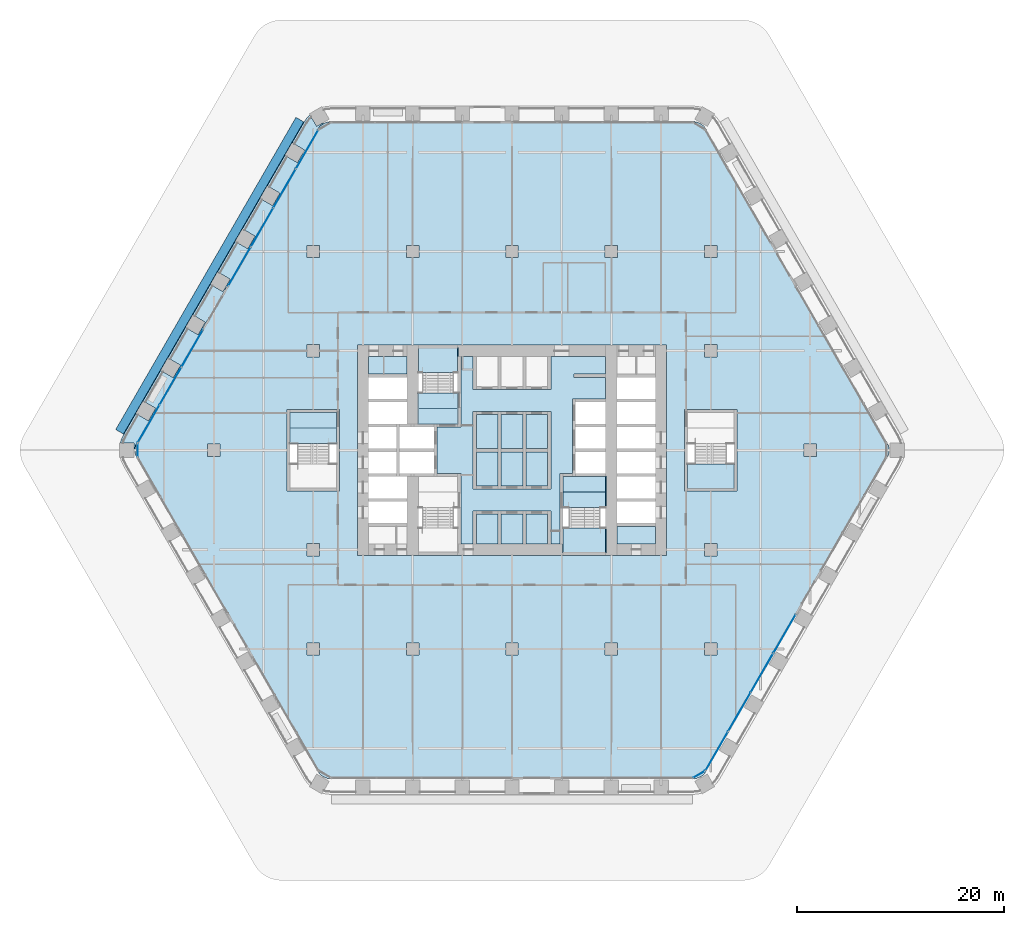
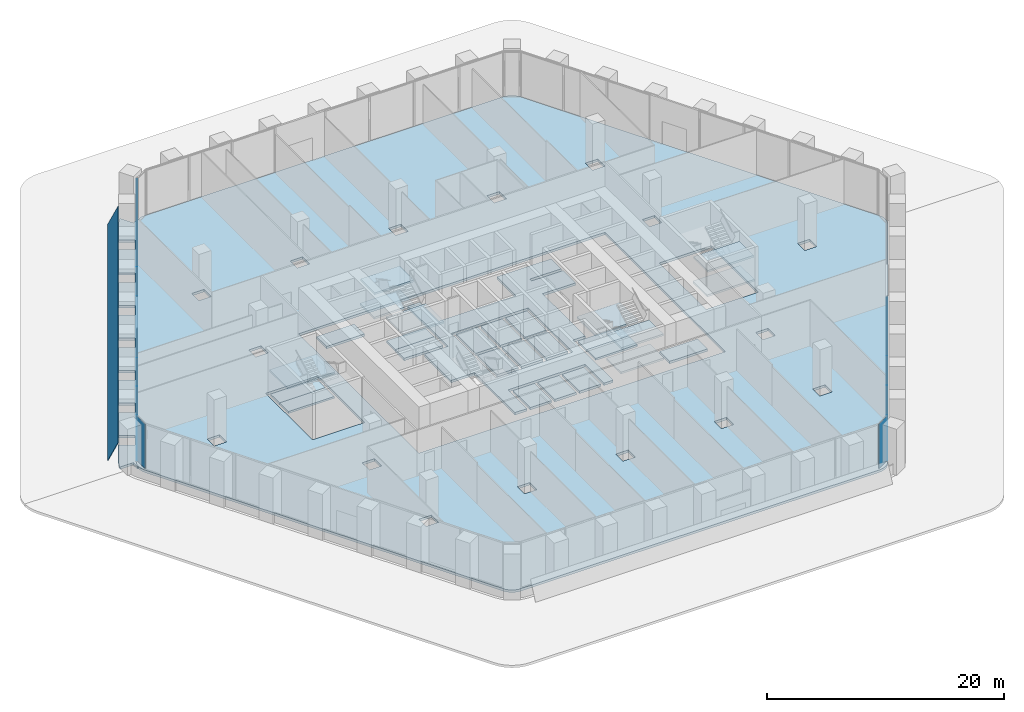
# One storey, part 16 of 29: 29 slabs, 14 plates, 9 elements without a shape of their own.
"""IFC4 building model written with IfcOpenShell, lengths in metres."""

from ifc_helpers import new_model, si_unit, direction, frame, origin, origin_2d, place, context, subcontext, project, spatial, polyline, rectangle, outline, extrude, material, layer, layer_set, type_object, element, aggregate, save


model = new_model("IFC4")

# Units and contexts
model_context = context("Model", 3, precision=1e-05, world=origin(), true_north=direction((0.0, 1.0)))
body_context = subcontext(model_context, "Body", "Model", "MODEL_VIEW")
ifc_project = project(units=[si_unit("LENGTHUNIT", "METRE"), si_unit("AREAUNIT", "SQUARE_METRE"), si_unit("VOLUMEUNIT", "CUBIC_METRE"), si_unit("PLANEANGLEUNIT", "RADIAN"), si_unit("MASSUNIT", "GRAM", prefix="KILO")], contexts=[model_context])

# Site, building, storey
site_placement = place(None, origin())
site = spatial("IfcSite", under=ifc_project, at=site_placement, CompositionType="ELEMENT")
building_placement = place(site_placement, origin())
building = spatial("IfcBuilding", under=site, at=building_placement, Name="Kolab Exchange Tower", CompositionType="ELEMENT")
storey_placement = place(building_placement, frame((0.0, 0.0, 17.39990234375)))
storey = spatial("IfcBuildingStorey", under=building, at=storey_placement, Name="L03", CompositionType="ELEMENT", Elevation=17.39990234375)

# Slabs
ifc_material_1 = material(Name="Concrete C35/45", Category="concrete")
ifc_layer_1 = layer(ifc_material_1, 0.25)
ifc_layer_set_1 = layer_set([ifc_layer_1], Name="Concrete C35/45")
slab_type_1 = type_object("IfcSlabType", Name="FLOOR SLAB 250", PredefinedType="FLOOR", material=ifc_layer_set_1)
slab_1_placement = place(storey_placement, frame((0.0, 0.0, -0.25)))
element("IfcSlab", 1, at=slab_1_placement, inside=storey, type_object=slab_type_1, Name="slab/L03/floor/0", PredefinedType="FLOOR", context=body_context, shape_type="SweptSolid", body=[
    extrude(outline(polyline([(18.76708984375, -31.00537109375), (36.23486328125, -0.75), (36.345458984375, -0.512939453125), (36.4130859375, -0.260498046875), (36.435791015625, 0.0), (36.4130859375, 0.260498046875), (36.345458984375, 0.512939453125), (36.23486328125, 0.75), (18.76708984375, 31.00537109375), (18.616943359375, 31.219482421875), (18.43212890625, 31.404541015625), (18.218017578125, 31.554443359375), (17.98095703125, 31.664794921875), (17.728515625, 31.732666015625), (17.468017578125, 31.75537109375), (-17.468017578125, 31.75537109375), (-17.728515625, 31.732666015625), (-17.98095703125, 31.664794921875), (-18.218017578125, 31.554443359375), (-18.43212890625, 31.404541015625), (-18.616943359375, 31.219482421875), (-18.76708984375, 31.00537109375), (-36.23486328125, 0.75), (-36.345458984375, 0.512939453125), (-36.4130859375, 0.260498046875), (-36.435791015625, 0.0), (-36.4130859375, -0.260498046875), (-36.345458984375, -0.512939453125), (-36.23486328125, -0.75), (-18.76708984375, -31.00537109375), (-18.616943359375, -31.219482421875), (-18.43212890625, -31.404541015625), (-18.218017578125, -31.554443359375), (-17.98095703125, -31.664794921875), (-17.728515625, -31.732666015625), (-17.468017578125, -31.75537109375), (17.468017578125, -31.75537109375), (17.728515625, -31.732666015625), (17.98095703125, -31.664794921875), (18.218017578125, -31.554443359375), (18.43212890625, -31.404541015625), (18.616943359375, -31.219482421875), (18.76708984375, -31.00537109375)]), holes=[polyline([(-19.800048828125, -18.60009765625), (-18.60009765625, -18.60009765625), (-18.60009765625, -19.800048828125), (-19.800048828125, -19.800048828125), (-19.800048828125, -18.60009765625)]), polyline([(-18.60009765625, -9.0), (-18.60009765625, -10.199951171875), (-19.800048828125, -10.199951171875), (-19.800048828125, -9.0), (-18.60009765625, -9.0)]), polyline([(-21.75, -3.949951171875), (-21.75, 3.949951171875), (-21.449951171875, 3.949951171875), (-16.949951171875, 3.949951171875), (-16.64990234375, 3.949951171875), (-16.64990234375, -3.949951171875), (-16.949951171875, -3.949951171875), (-21.449951171875, -3.949951171875), (-21.75, -3.949951171875)]), polyline([(-14.949951171875, 10.14990234375), (-13.85009765625, 10.14990234375), (-10.14990234375, 10.14990234375), (-9.050048828125, 10.14990234375), (-5.25, 10.14990234375), (9.050048828125, 10.14990234375), (10.14990234375, 10.14990234375), (13.85009765625, 10.14990234375), (14.949951171875, 10.14990234375), (14.949951171875, -10.14990234375), (13.85009765625, -10.14990234375), (10.14990234375, -10.14990234375), (9.050048828125, -10.14990234375), (4.949951171875, -10.14990234375), (-5.25, -10.14990234375), (-9.050048828125, -10.14990234375), (-10.14990234375, -10.14990234375), (-13.85009765625, -10.14990234375), (-14.949951171875, -10.14990234375), (-14.949951171875, 10.14990234375)]), polyline([(-28.199951171875, 0.60009765625), (-28.199951171875, -0.60009765625), (-29.39990234375, -0.60009765625), (-29.39990234375, 0.60009765625), (-28.199951171875, 0.60009765625)]), polyline([(-18.60009765625, 10.199951171875), (-18.60009765625, 9.0), (-19.800048828125, 9.0), (-19.800048828125, 10.199951171875), (-18.60009765625, 10.199951171875)]), polyline([(-19.800048828125, 19.800048828125), (-18.60009765625, 19.800048828125), (-18.60009765625, 18.60009765625), (-19.800048828125, 18.60009765625), (-19.800048828125, 19.800048828125)]), polyline([(-9.0, -18.60009765625), (-9.0, -19.800048828125), (-10.199951171875, -19.800048828125), (-10.199951171875, -18.60009765625), (-9.0, -18.60009765625)]), polyline([(-9.0, 19.800048828125), (-9.0, 18.60009765625), (-10.199951171875, 18.60009765625), (-10.199951171875, 19.800048828125), (-9.0, 19.800048828125)]), polyline([(0.60009765625, -18.60009765625), (0.60009765625, -19.800048828125), (-0.60009765625, -19.800048828125), (-0.60009765625, -18.60009765625), (0.60009765625, -18.60009765625)]), polyline([(0.60009765625, 19.800048828125), (0.60009765625, 18.60009765625), (-0.60009765625, 18.60009765625), (-0.60009765625, 19.800048828125), (0.60009765625, 19.800048828125)]), polyline([(10.199951171875, -18.60009765625), (10.199951171875, -19.800048828125), (9.0, -19.800048828125), (9.0, -18.60009765625), (10.199951171875, -18.60009765625)]), polyline([(9.0, 19.800048828125), (10.199951171875, 19.800048828125), (10.199951171875, 18.60009765625), (9.0, 18.60009765625), (9.0, 19.800048828125)]), polyline([(19.800048828125, -18.60009765625), (19.800048828125, -19.800048828125), (18.60009765625, -19.800048828125), (18.60009765625, -18.60009765625), (19.800048828125, -18.60009765625)]), polyline([(19.800048828125, -9.0), (19.800048828125, -10.199951171875), (18.60009765625, -10.199951171875), (18.60009765625, -9.0), (19.800048828125, -9.0)]), polyline([(16.949951171875, -3.949951171875), (16.64990234375, -3.949951171875), (16.64990234375, 3.949951171875), (16.949951171875, 3.949951171875), (21.449951171875, 3.949951171875), (21.75, 3.949951171875), (21.75, -3.949951171875), (21.449951171875, -3.949951171875), (16.949951171875, -3.949951171875)]), polyline([(29.39990234375, 0.60009765625), (29.39990234375, -0.60009765625), (28.199951171875, -0.60009765625), (28.199951171875, 0.60009765625), (29.39990234375, 0.60009765625)]), polyline([(18.60009765625, 10.199951171875), (19.800048828125, 10.199951171875), (19.800048828125, 9.0), (18.60009765625, 9.0), (18.60009765625, 10.199951171875)]), polyline([(18.60009765625, 19.800048828125), (19.800048828125, 19.800048828125), (19.800048828125, 18.60009765625), (18.60009765625, 18.60009765625), (18.60009765625, 19.800048828125)])]), origin(), (0.0, 0.0, 1.0), 0.25),
])
slab_2_placement = place(storey_placement, frame((0.0, 0.0, -0.25)))
element("IfcSlab", 2, at=slab_2_placement, inside=storey, type_object=slab_type_1, Name="slab/L03/floor/1", PredefinedType="FLOOR", context=body_context, shape_type="SweptSolid", body=[
    extrude(outline(polyline([(-5.25, 2.25), (-7.25, 2.25), (-7.25, -2.25), (-5.25, -2.25), (-4.949951171875, -2.25), (-4.949951171875, -9.050048828125), (-3.75, -9.050048828125), (-3.75, -5.85009765625), (-3.449951171875, -5.85009765625), (-1.35009765625, -5.85009765625), (-1.050048828125, -5.85009765625), (1.050048828125, -5.85009765625), (1.35009765625, -5.85009765625), (3.449951171875, -5.85009765625), (3.75, -5.85009765625), (3.75, -9.050048828125), (4.64990234375, -9.050048828125), (4.64990234375, -2.25), (4.949951171875, -2.25), (5.85009765625, -2.25), (5.85009765625, 4.949951171875), (6.14990234375, 4.949951171875), (9.050048828125, 4.949951171875), (9.050048828125, 7.050048828125), (6.0, 7.050048828125), (6.0, 7.35009765625), (9.050048828125, 7.35009765625), (9.050048828125, 9.050048828125), (3.75, 9.050048828125), (3.75, 5.85009765625), (3.449951171875, 5.85009765625), (1.35009765625, 5.85009765625), (1.050048828125, 5.85009765625), (-1.050048828125, 5.85009765625), (-1.35009765625, 5.85009765625), (-3.449951171875, 5.85009765625), (-3.75, 5.85009765625), (-3.75, 9.050048828125), (-4.949951171875, 9.050048828125), (-4.949951171875, 2.25), (-5.25, 2.25)]), holes=[polyline([(-1.35009765625, 3.75), (-1.050048828125, 3.75), (1.050048828125, 3.75), (1.35009765625, 3.75), (3.449951171875, 3.75), (3.75, 3.75), (3.75, -3.75), (3.449951171875, -3.75), (1.35009765625, -3.75), (1.050048828125, -3.75), (-1.050048828125, -3.75), (-1.35009765625, -3.75), (-3.449951171875, -3.75), (-3.75, -3.75), (-3.75, 3.75), (-3.449951171875, 3.75), (-1.35009765625, 3.75)])]), origin(), (0.0, 0.0, 1.0), 0.25),
])
slab_3_placement = place(storey_placement, frame((0.0, 0.0, -0.25)))
element("IfcSlab", 3, at=slab_3_placement, inside=storey, type_object=slab_type_1, Name="slab/L03/floor/2", PredefinedType="FLOOR", context=body_context, shape_type="SweptSolid", body=[
    extrude(outline(polyline([(-3.449951171875, -3.449951171875), (-1.35009765625, -3.449951171875), (-1.35009765625, -0.14990234375), (-3.449951171875, -0.14990234375), (-3.449951171875, -3.449951171875)])), origin(), (0.0, 0.0, 1.0), 0.25),
])
slab_4_placement = place(storey_placement, frame((0.0, 0.0, -0.25)))
element("IfcSlab", 4, at=slab_4_placement, inside=storey, type_object=slab_type_1, Name="slab/L03/floor/3", PredefinedType="FLOOR", context=body_context, shape_type="SweptSolid", body=[
    extrude(outline(polyline([(-1.35009765625, 0.14990234375), (-1.35009765625, 3.449951171875), (-3.449951171875, 3.449951171875), (-3.449951171875, 0.14990234375), (-1.35009765625, 0.14990234375)])), origin(), (0.0, 0.0, 1.0), 0.25),
])
slab_5_placement = place(storey_placement, frame((0.0, 0.0, -0.25)))
element("IfcSlab", 5, at=slab_5_placement, inside=storey, type_object=slab_type_1, Name="slab/L03/floor/4", PredefinedType="FLOOR", context=body_context, shape_type="SweptSolid", body=[
    extrude(outline(polyline([(-1.050048828125, -0.14990234375), (-1.050048828125, -3.449951171875), (1.050048828125, -3.449951171875), (1.050048828125, -0.14990234375), (-1.050048828125, -0.14990234375)])), origin(), (0.0, 0.0, 1.0), 0.25),
])
slab_6_placement = place(storey_placement, frame((0.0, 0.0, -0.25)))
element("IfcSlab", 6, at=slab_6_placement, inside=storey, type_object=slab_type_1, Name="slab/L03/floor/5", PredefinedType="FLOOR", context=body_context, shape_type="SweptSolid", body=[
    extrude(outline(polyline([(-1.050048828125, 3.449951171875), (-1.050048828125, 0.14990234375), (1.050048828125, 0.14990234375), (1.050048828125, 3.449951171875), (-1.050048828125, 3.449951171875)])), origin(), (0.0, 0.0, 1.0), 0.25),
])
slab_7_placement = place(storey_placement, frame((0.0, 0.0, -0.25)))
element("IfcSlab", 7, at=slab_7_placement, inside=storey, type_object=slab_type_1, Name="slab/L03/floor/6", PredefinedType="FLOOR", context=body_context, shape_type="SweptSolid", body=[
    extrude(outline(polyline([(1.35009765625, -3.449951171875), (3.449951171875, -3.449951171875), (3.449951171875, -0.14990234375), (1.35009765625, -0.14990234375), (1.35009765625, -3.449951171875)])), origin(), (0.0, 0.0, 1.0), 0.25),
])
slab_8_placement = place(storey_placement, frame((0.0, 0.0, -0.25)))
element("IfcSlab", 8, at=slab_8_placement, inside=storey, type_object=slab_type_1, Name="slab/L03/floor/7", PredefinedType="FLOOR", context=body_context, shape_type="SweptSolid", body=[
    extrude(outline(polyline([(1.35009765625, 0.14990234375), (3.449951171875, 0.14990234375), (3.449951171875, 3.449951171875), (1.35009765625, 3.449951171875), (1.35009765625, 0.14990234375)])), origin(), (0.0, 0.0, 1.0), 0.25),
])
slab_9_placement = place(storey_placement, frame((0.0, 0.0, -0.25)))
element("IfcSlab", 9, at=slab_9_placement, inside=storey, type_object=slab_type_1, Name="slab/L03/floor/8", PredefinedType="FLOOR", context=body_context, shape_type="SweptSolid", body=[
    extrude(outline(polyline([(-21.449951171875, 3.64990234375), (-21.449951171875, 2.14990234375), (-16.949951171875, 2.14990234375), (-16.949951171875, 3.64990234375), (-21.449951171875, 3.64990234375)])), origin(), (0.0, 0.0, 1.0), 0.25),
])
slab_10_placement = place(storey_placement, frame((0.0, 0.0, -0.25)))
element("IfcSlab", 10, at=slab_10_placement, inside=storey, type_object=slab_type_1, Name="slab/L03/floor/11", PredefinedType="FLOOR", context=body_context, shape_type="SweptSolid", body=[
    extrude(outline(polyline([(-13.85009765625, 7.35009765625), (-10.14990234375, 7.35009765625), (-10.14990234375, 9.050048828125), (-13.85009765625, 9.050048828125), (-13.85009765625, 7.35009765625)])), origin(), (0.0, 0.0, 1.0), 0.25),
])
slab_11_placement = place(storey_placement, frame((0.0, 0.0, -0.25)))
element("IfcSlab", 11, at=slab_11_placement, inside=storey, type_object=slab_type_1, Name="slab/L03/floor/12", PredefinedType="FLOOR", context=body_context, shape_type="SweptSolid", body=[
    extrude(outline(polyline([(10.14990234375, -7.35009765625), (10.14990234375, -9.050048828125), (13.85009765625, -9.050048828125), (13.85009765625, -7.35009765625), (10.14990234375, -7.35009765625)])), origin(), (0.0, 0.0, 1.0), 0.25),
])
slab_12_placement = place(storey_placement, frame((0.0, 0.0, -0.25)))
element("IfcSlab", 12, at=slab_12_placement, inside=storey, type_object=slab_type_1, Name="slab/L03/floor/14", PredefinedType="FLOOR", context=body_context, shape_type="SweptSolid", body=[
    extrude(outline(polyline([(9.050048828125, -4.050048828125), (9.050048828125, -2.550048828125), (6.14990234375, -2.550048828125), (5.85009765625, -2.550048828125), (4.949951171875, -2.550048828125), (4.949951171875, -4.050048828125), (9.050048828125, -4.050048828125)])), origin(), (0.0, 0.0, 1.0), 0.25),
])
slab_13_placement = place(storey_placement, frame((0.0, 0.0, -0.25)))
element("IfcSlab", 13, at=slab_13_placement, inside=storey, type_object=slab_type_1, Name="slab/L03/floor/15", PredefinedType="FLOOR", context=body_context, shape_type="SweptSolid", body=[
    extrude(outline(polyline([(1.050048828125, -6.14990234375), (-1.050048828125, -6.14990234375), (-1.050048828125, -9.050048828125), (1.050048828125, -9.050048828125), (1.050048828125, -6.14990234375)])), origin(), (0.0, 0.0, 1.0), 0.25),
])
slab_14_placement = place(storey_placement, frame((0.0, 0.0, -0.25)))
element("IfcSlab", 14, at=slab_14_placement, inside=storey, type_object=slab_type_1, Name="slab/L03/floor/17", PredefinedType="FLOOR", context=body_context, shape_type="SweptSolid", body=[
    extrude(outline(polyline([(-1.35009765625, -6.14990234375), (-3.449951171875, -6.14990234375), (-3.449951171875, -9.050048828125), (-1.35009765625, -9.050048828125), (-1.35009765625, -6.14990234375)])), origin(), (0.0, 0.0, 1.0), 0.25),
])
slab_15_placement = place(storey_placement, frame((0.0, 0.0, -0.25)))
element("IfcSlab", 15, at=slab_15_placement, inside=storey, type_object=slab_type_1, Name="slab/L03/floor/19", PredefinedType="FLOOR", context=body_context, shape_type="SweptSolid", body=[
    extrude(outline(polyline([(1.35009765625, -6.14990234375), (1.35009765625, -9.050048828125), (3.449951171875, -9.050048828125), (3.449951171875, -6.14990234375), (1.35009765625, -6.14990234375)])), origin(), (0.0, 0.0, 1.0), 0.25),
])
slab_16_placement = place(storey_placement, frame((0.0, 0.0, -0.25)))
element("IfcSlab", 16, at=slab_16_placement, inside=storey, type_object=slab_type_1, Name="slab/L03/floor/22", PredefinedType="FLOOR", context=body_context, shape_type="SweptSolid", body=[
    extrude(outline(polyline([(-5.25, 4.050048828125), (-9.050048828125, 4.050048828125), (-9.050048828125, 2.550048828125), (-7.550048828125, 2.550048828125), (-7.25, 2.550048828125), (-5.25, 2.550048828125), (-5.25, 4.050048828125)])), origin(), (0.0, 0.0, 1.0), 0.25),
])
ifc_layer_2 = layer(ifc_material_1, 0.25)
ifc_layer_set_2 = layer_set([ifc_layer_2], Name="Concrete C35/45")
slab_type_2 = type_object("IfcSlabType", Name="LOGGIA SLAB 250", PredefinedType="FLOOR", material=ifc_layer_set_2)
slab_17_placement = place(storey_placement, frame((0.0, 0.0, -0.25)))
element("IfcSlab", 17, at=slab_17_placement, inside=storey, type_object=slab_type_2, Name="slab/L03/loggia/5-0", PredefinedType="FLOOR", context=body_context, shape_type="SweptSolid", body=[
    extrude(outline(polyline([(-18.218017578125, 31.554443359375), (-18.26806640625, 31.64111328125), (-18.874267578125, 31.291015625), (-19.52734375, 32.42236328125), (-19.76611328125, 32.183837890625), (-20.06591796875, 31.75537109375), (-21.25, 29.70458984375), (-20.03759765625, 29.004638671875), (-20.737548828125, 27.792236328125), (-21.949951171875, 28.4921875), (-23.64990234375, 25.5478515625), (-22.4375, 24.84765625), (-23.137451171875, 23.63525390625), (-24.35009765625, 24.335205078125), (-26.050048828125, 21.390869140625), (-24.837646484375, 20.69091796875), (-25.53759765625, 19.478271484375), (-26.75, 20.178466796875), (-28.449951171875, 17.23388671875), (-27.237548828125, 16.533935546875), (-27.9375, 15.321533203125), (-29.14990234375, 16.021484375), (-30.85009765625, 13.076904296875), (-29.637451171875, 12.376953125), (-30.337646484375, 11.16455078125), (-31.550048828125, 11.864501953125), (-33.25, 8.920166015625), (-32.03759765625, 8.219970703125), (-32.737548828125, 7.007568359375), (-33.949951171875, 7.70751953125), (-35.64990234375, 4.76318359375), (-34.4375, 4.063232421875), (-35.137451171875, 2.8505859375), (-36.35009765625, 3.55078125), (-37.533935546875, 1.5), (-37.7548828125, 1.026123046875), (-37.84228515625, 0.699951171875), (-36.535888671875, 0.699951171875), (-36.535888671875, 0.0), (-36.435791015625, 0.0), (-36.4130859375, 0.260498046875), (-36.345458984375, 0.512939453125), (-36.23486328125, 0.75), (-18.76708984375, 31.00537109375), (-18.616943359375, 31.219482421875), (-18.43212890625, 31.404541015625), (-18.218017578125, 31.554443359375)])), origin(), (0.0, 0.0, 1.0), 0.25),
])

# Plate
ifc_material_2 = material(Name="Laminated glass, clear", Category="glass")
ifc_layer_3 = layer(ifc_material_2, 0.0400390625)
ifc_layer_set_3 = layer_set([ifc_layer_3], Name="Laminated glass, clear")
plate_type_1 = type_object("IfcPlateType", Name="OUTER SKIN LAMINATED GLASS SHEET 40", PredefinedType="SHEET", material=ifc_layer_set_3)
plate_1_placement = place(storey_placement, frame((-38.292724609375, 1.995849609375, 0.027099609375), z_axis=(-0.784858761491, 0.453140004368, 0.422682931938), x_axis=(0.500001313459, 0.866024645457, 0.0)))
element("IfcPlate", 18, at=plate_1_placement, inside=storey, type_object=plate_type_1, Name="Outer skin", PredefinedType="SHEET", context=body_context, shape_type="SweptSolid", body=[
    extrude(outline(polyline([(0.0, 0.0), (34.83584598906518, 0.0), (34.835930511480626, -2.0554330275383497), (8.452241545063784e-05, -2.0554330275383506), (0.0, 0.0)])), origin(), (0.0, 0.0, -1.0), 0.0400390625),
])

# Stair, slabs
ifc_material_3 = material(Name="Concrete C50/60", Category="concrete")
stair_type_1 = type_object("IfcStairType", Name="STAIR ST1 RISER 156.2", PredefinedType="DOUBLE_RETURN_STAIR", material=ifc_material_3)
stair_1_placement = place(storey_placement, origin())
stair_1 = element("IfcStair", 19, at=stair_1_placement, inside=storey, type_object=stair_type_1, Name="Stair 1", PredefinedType="DOUBLE_RETURN_STAIR")
ifc_layer_4 = layer(ifc_material_3, 0.199951171875)
ifc_layer_set_4 = layer_set([ifc_layer_4], Name="Concrete C50/60")
slab_type_3 = type_object("IfcSlabType", Name="STAIR LANDING 200", PredefinedType="LANDING", material=ifc_layer_set_4)
slab_18_placement = place(storey_placement, frame((0.0, 0.0, -0.199951171875)))
slab_18 = element("IfcSlab", 20, at=slab_18_placement, type_object=slab_type_3, Name="ST1 landing 1", PredefinedType="LANDING", context=body_context, shape_type="SweptSolid", body=[
    extrude(outline(polyline([(-9.050048828125, 4.050048828125), (-5.25, 4.050048828125), (-5.25, 5.550048828125), (-9.050048828125, 5.550048828125), (-9.050048828125, 4.050048828125)])), origin(), (0.0, 0.0, 1.0), 0.199951171875),
])
slab_19_placement = place(storey_placement, frame((0.0, 0.0, 1.050048828125)))
slab_19 = element("IfcSlab", 21, at=slab_19_placement, type_object=slab_type_3, Name="ST1 landing 2", PredefinedType="LANDING", context=body_context, shape_type="SweptSolid", body=[
    extrude(outline(polyline([(-9.110107421875, 7.510009765625), (-5.18994140625, 7.510009765625), (-5.18994140625, 9.909912109375), (-9.110107421875, 9.909912109375), (-9.110107421875, 7.510009765625)])), origin(), (0.0, 0.0, 1.0), 0.199951171875),
])
slab_20_placement = place(storey_placement, frame((0.0, 0.0, 2.300048828125)))
slab_20 = element("IfcSlab", 22, at=slab_20_placement, type_object=slab_type_3, Name="ST1 landing 3", PredefinedType="LANDING", context=body_context, shape_type="SweptSolid", body=[
    extrude(outline(polyline([(-9.110107421875, 2.489990234375), (-5.18994140625, 2.489990234375), (-5.18994140625, 5.550048828125), (-9.110107421875, 5.550048828125), (-9.110107421875, 2.489990234375)])), origin(), (0.0, 0.0, 1.0), 0.199951171875),
])
slab_21_placement = place(storey_placement, frame((0.0, 0.0, 3.550048828125)))
slab_21 = element("IfcSlab", 23, at=slab_21_placement, type_object=slab_type_3, Name="ST1 landing 4", PredefinedType="LANDING", context=body_context, shape_type="SweptSolid", body=[
    extrude(outline(polyline([(-9.050048828125, 7.510009765625), (-5.25, 7.510009765625), (-5.25, 9.909912109375), (-9.050048828125, 9.909912109375), (-9.050048828125, 7.510009765625)])), origin(), (0.0, 0.0, 1.0), 0.199951171875),
])
aggregate(stair_1, [slab_18, slab_19, slab_20, slab_21])

stair_type_2 = type_object("IfcStairType", Name="STAIR ST2 RISER 156.2", PredefinedType="DOUBLE_RETURN_STAIR", material=ifc_material_3)
stair_2_placement = place(storey_placement, origin())
stair_2 = element("IfcStair", 24, at=stair_2_placement, inside=storey, type_object=stair_type_2, Name="Stair 2", PredefinedType="DOUBLE_RETURN_STAIR")
slab_22_placement = place(storey_placement, frame((0.0, 0.0, -0.199951171875)))
slab_22 = element("IfcSlab", 25, at=slab_22_placement, type_object=slab_type_3, Name="ST2 landing 1", PredefinedType="LANDING", context=body_context, shape_type="SweptSolid", body=[
    extrude(outline(polyline([(4.949951171875, -5.550048828125), (9.050048828125, -5.550048828125), (9.050048828125, -4.050048828125), (4.949951171875, -4.050048828125), (4.949951171875, -5.550048828125)])), origin(), (0.0, 0.0, 1.0), 0.199951171875),
])
slab_23_placement = place(storey_placement, frame((0.0, 0.0, 1.050048828125)))
slab_23 = element("IfcSlab", 26, at=slab_23_placement, type_object=slab_type_3, Name="ST2 landing 2", PredefinedType="LANDING", context=body_context, shape_type="SweptSolid", body=[
    extrude(outline(polyline([(4.889892578125, -9.909912109375), (9.110107421875, -9.909912109375), (9.110107421875, -7.510009765625), (4.889892578125, -7.510009765625), (4.889892578125, -9.909912109375)])), origin(), (0.0, 0.0, 1.0), 0.199951171875),
])
slab_24_placement = place(storey_placement, frame((0.0, 0.0, 2.300048828125)))
slab_24 = element("IfcSlab", 27, at=slab_24_placement, type_object=slab_type_3, Name="ST2 landing 3", PredefinedType="LANDING", context=body_context, shape_type="SweptSolid", body=[
    extrude(outline(polyline([(4.889892578125, -5.550048828125), (9.110107421875, -5.550048828125), (9.110107421875, -2.489990234375), (4.889892578125, -2.489990234375), (4.889892578125, -5.550048828125)])), origin(), (0.0, 0.0, 1.0), 0.199951171875),
])
slab_25_placement = place(storey_placement, frame((0.0, 0.0, 3.550048828125)))
slab_25 = element("IfcSlab", 28, at=slab_25_placement, type_object=slab_type_3, Name="ST2 landing 4", PredefinedType="LANDING", context=body_context, shape_type="SweptSolid", body=[
    extrude(outline(polyline([(4.949951171875, -9.909912109375), (9.050048828125, -9.909912109375), (9.050048828125, -7.510009765625), (4.949951171875, -7.510009765625), (4.949951171875, -9.909912109375)])), origin(), (0.0, 0.0, 1.0), 0.199951171875),
])
aggregate(stair_2, [slab_22, slab_23, slab_24, slab_25])

stair_type_3 = type_object("IfcStairType", Name="STAIR ST4 RISER 156.2", PredefinedType="DOUBLE_RETURN_STAIR", material=ifc_material_3)
stair_3_placement = place(storey_placement, origin())
stair_3 = element("IfcStair", 29, at=stair_3_placement, inside=storey, type_object=stair_type_3, Name="Stair 4", PredefinedType="DOUBLE_RETURN_STAIR")
slab_26_placement = place(storey_placement, frame((0.0, 0.0, 1.050048828125)))
slab_26 = element("IfcSlab", 30, at=slab_26_placement, type_object=slab_type_3, Name="ST4 landing 2", PredefinedType="LANDING", context=body_context, shape_type="SweptSolid", body=[
    extrude(outline(polyline([(16.889892578125, -3.7099609375), (21.510009765625, -3.7099609375), (21.510009765625, -1.31005859375), (16.889892578125, -1.31005859375), (16.889892578125, -3.7099609375)])), origin(), (0.0, 0.0, 1.0), 0.199951171875),
])
slab_27_placement = place(storey_placement, frame((0.0, 0.0, 3.550048828125)))
slab_27 = element("IfcSlab", 31, at=slab_27_placement, type_object=slab_type_3, Name="ST4 landing 4", PredefinedType="LANDING", context=body_context, shape_type="SweptSolid", body=[
    extrude(outline(polyline([(16.949951171875, -3.7099609375), (21.449951171875, -3.7099609375), (21.449951171875, -1.31005859375), (16.949951171875, -1.31005859375), (16.949951171875, -3.7099609375)])), origin(), (0.0, 0.0, 1.0), 0.199951171875),
])
aggregate(stair_3, [slab_26, slab_27])

stair_type_4 = type_object("IfcStairType", Name="STAIR ST5 RISER 156.2", PredefinedType="DOUBLE_RETURN_STAIR", material=ifc_material_3)
stair_4_placement = place(storey_placement, origin())
stair_4 = element("IfcStair", 32, at=stair_4_placement, inside=storey, type_object=stair_type_4, Name="Stair 5", PredefinedType="DOUBLE_RETURN_STAIR")
slab_28_placement = place(storey_placement, frame((0.0, 0.0, -0.199951171875)))
slab_28 = element("IfcSlab", 33, at=slab_28_placement, type_object=slab_type_3, Name="ST5 landing 1", PredefinedType="LANDING", context=body_context, shape_type="SweptSolid", body=[
    extrude(outline(polyline([(-21.449951171875, 0.64990234375), (-16.949951171875, 0.64990234375), (-16.949951171875, 2.14990234375), (-21.449951171875, 2.14990234375), (-21.449951171875, 0.64990234375)])), origin(), (0.0, 0.0, 1.0), 0.199951171875),
])
slab_29_placement = place(storey_placement, frame((0.0, 0.0, 2.300048828125)))
slab_29 = element("IfcSlab", 34, at=slab_29_placement, type_object=slab_type_3, Name="ST5 landing 3", PredefinedType="LANDING", context=body_context, shape_type="SweptSolid", body=[
    extrude(outline(polyline([(-21.510009765625, 0.64990234375), (-16.889892578125, 0.64990234375), (-16.889892578125, 3.7099609375), (-21.510009765625, 3.7099609375), (-21.510009765625, 0.64990234375)])), origin(), (0.0, 0.0, 1.0), 0.199951171875),
])
aggregate(stair_4, [slab_28, slab_29])

# Curtain wall, plates
ifc_material_4 = material(Name="Aluminium EN AW-6063 T6", Category="aluminium")
curtain_wall_type = type_object("IfcCurtainWallType", Name="UNITISED LOW ZONE CURTAIN WALL", PredefinedType="NOTDEFINED", material=ifc_material_4)
curtain_wall_1_placement = place(storey_placement, origin())
curtain_wall_1 = element("IfcCurtainWall", 35, at=curtain_wall_1_placement, inside=storey, type_object=curtain_wall_type, Name="cw/L03/F3-2", PredefinedType="NOTDEFINED")
ifc_material_5 = material(Name="Clear insulated glazing unit", Category="glass")
ifc_layer_5 = layer(ifc_material_5, 0.02392578125)
ifc_layer_set_5 = layer_set([ifc_layer_5], Name="Clear insulated glazing unit")
plate_type_2 = type_object("IfcPlateType", Name="UNITISED LOW ZONE GLASS PANEL 24", PredefinedType="CURTAIN_PANEL", material=ifc_layer_set_5)
plate_2_placement = place(storey_placement, frame((26.33251953125, -17.74169921875, 0.06005859375), z_axis=(0.0, 0.0, 1.0), x_axis=(-0.5000000112, -0.866025397318, 0.0)))
plate_2 = element("IfcPlate", 36, at=plate_2_placement, type_object=plate_type_2, Name="CW1 panel 1.1", PredefinedType="CURTAIN_PANEL", context=body_context, shape_type="SweptSolid", body=[
    extrude(rectangle(XDim=4.277099609375, YDim=0.02392578125, at=origin_2d()), origin(), (0.0, 0.0, 1.0), 4.6298828125),
])
plate_3_placement = place(storey_placement, frame((24.156494140625, -21.510498046875, 0.06005859375), z_axis=(0.0, 0.0, 1.0), x_axis=(-0.5000000112, -0.866025397318, 0.0)))
plate_3 = element("IfcPlate", 37, at=plate_3_placement, type_object=plate_type_2, Name="CW1 panel 2.1", PredefinedType="CURTAIN_PANEL", context=body_context, shape_type="SweptSolid", body=[
    extrude(rectangle(XDim=4.306884765625, YDim=0.02392578125, at=origin_2d()), origin(), (0.0, 0.0, 1.0), 4.6298828125),
])
plate_4_placement = place(storey_placement, frame((21.972900390625, -25.29248046875, 0.06005859375), z_axis=(0.0, 0.0, 1.0), x_axis=(-0.5000000112, -0.866025397318, 0.0)))
plate_4 = element("IfcPlate", 38, at=plate_4_placement, type_object=plate_type_2, Name="CW1 panel 3.1", PredefinedType="CURTAIN_PANEL", context=body_context, shape_type="SweptSolid", body=[
    extrude(rectangle(XDim=4.306884765625, YDim=0.02392578125, at=origin_2d()), origin(), (0.0, 0.0, 1.0), 4.6298828125),
])
plate_5_placement = place(storey_placement, frame((19.796875, -29.0615234375, 0.06005859375), z_axis=(0.0, 0.0, 1.0), x_axis=(-0.5000000112, -0.866025397318, 0.0)))
plate_5 = element("IfcPlate", 39, at=plate_5_placement, type_object=plate_type_2, Name="CW1 panel 4.1", PredefinedType="CURTAIN_PANEL", context=body_context, shape_type="SweptSolid", body=[
    extrude(rectangle(XDim=4.277099609375, YDim=0.02392578125, at=origin_2d()), origin(), (0.0, 0.0, 1.0), 4.6298828125),
])
aggregate(curtain_wall_1, [plate_2, plate_3, plate_4, plate_5])

curtain_wall_2_placement = place(storey_placement, origin())
curtain_wall_2 = element("IfcCurtainWall", 40, at=curtain_wall_2_placement, inside=storey, type_object=curtain_wall_type, Name="cw/L03/F6-1", PredefinedType="NOTDEFINED")
plate_6_placement = place(storey_placement, frame((-35.1025390625, 2.551513671875, 0.06005859375), z_axis=(0.0, 0.0, 1.0), x_axis=(0.499999958358, 0.866025427826, 0.0)))
plate_6 = element("IfcPlate", 41, at=plate_6_placement, type_object=plate_type_2, Name="CW1 panel 1.1", PredefinedType="CURTAIN_PANEL", context=body_context, shape_type="SweptSolid", body=[
    extrude(rectangle(XDim=4.132568359375, YDim=0.02392578125, at=origin_2d()), origin(), (0.0, 0.0, 1.0), 4.6298828125),
])
plate_7_placement = place(storey_placement, frame((-32.998779296875, 6.1953125, 0.06005859375), z_axis=(0.0, 0.0, 1.0), x_axis=(0.499999958358, 0.866025427826, 0.0)))
plate_7 = element("IfcPlate", 42, at=plate_7_placement, type_object=plate_type_2, Name="CW1 panel 2.1", PredefinedType="CURTAIN_PANEL", context=body_context, shape_type="SweptSolid", body=[
    extrude(rectangle(XDim=4.16259765625, YDim=0.02392578125, at=origin_2d()), origin(), (0.0, 0.0, 1.0), 4.6298828125),
])
plate_8_placement = place(storey_placement, frame((-30.894775390625, 9.83935546875, 0.06005859375), z_axis=(0.0, 0.0, 1.0), x_axis=(0.499999958358, 0.866025427826, 0.0)))
plate_8 = element("IfcPlate", 43, at=plate_8_placement, type_object=plate_type_2, Name="CW1 panel 3.1", PredefinedType="CURTAIN_PANEL", context=body_context, shape_type="SweptSolid", body=[
    extrude(rectangle(XDim=4.132568359375, YDim=0.02392578125, at=origin_2d()), origin(), (0.0, 0.0, 1.0), 4.6298828125),
])
aggregate(curtain_wall_2, [plate_6, plate_7, plate_8])

curtain_wall_3_placement = place(storey_placement, origin())
curtain_wall_3 = element("IfcCurtainWall", 44, at=curtain_wall_3_placement, inside=storey, type_object=curtain_wall_type, Name="cw/L03/F6-2", PredefinedType="NOTDEFINED")
plate_9_placement = place(storey_placement, frame((-26.33251953125, 17.74169921875, 0.06005859375), z_axis=(0.0, 0.0, 1.0), x_axis=(0.5000000112, 0.866025397318, 0.0)))
plate_9 = element("IfcPlate", 45, at=plate_9_placement, type_object=plate_type_2, Name="CW1 panel 1.1", PredefinedType="CURTAIN_PANEL", context=body_context, shape_type="SweptSolid", body=[
    extrude(rectangle(XDim=4.277099609375, YDim=0.02392578125, at=origin_2d()), origin(), (0.0, 0.0, 1.0), 4.6298828125),
])
plate_10_placement = place(storey_placement, frame((-24.156494140625, 21.510498046875, 0.06005859375), z_axis=(0.0, 0.0, 1.0), x_axis=(0.5000000112, 0.866025397318, 0.0)))
plate_10 = element("IfcPlate", 46, at=plate_10_placement, type_object=plate_type_2, Name="CW1 panel 2.1", PredefinedType="CURTAIN_PANEL", context=body_context, shape_type="SweptSolid", body=[
    extrude(rectangle(XDim=4.306884765625, YDim=0.02392578125, at=origin_2d()), origin(), (0.0, 0.0, 1.0), 4.6298828125),
])
plate_11_placement = place(storey_placement, frame((-21.972900390625, 25.29248046875, 0.06005859375), z_axis=(0.0, 0.0, 1.0), x_axis=(0.5000000112, 0.866025397318, 0.0)))
plate_11 = element("IfcPlate", 47, at=plate_11_placement, type_object=plate_type_2, Name="CW1 panel 3.1", PredefinedType="CURTAIN_PANEL", context=body_context, shape_type="SweptSolid", body=[
    extrude(rectangle(XDim=4.306884765625, YDim=0.02392578125, at=origin_2d()), origin(), (0.0, 0.0, 1.0), 4.6298828125),
])
plate_12_placement = place(storey_placement, frame((-19.796875, 29.0615234375, 0.06005859375), z_axis=(0.0, 0.0, 1.0), x_axis=(0.5000000112, 0.866025397318, 0.0)))
plate_12 = element("IfcPlate", 48, at=plate_12_placement, type_object=plate_type_2, Name="CW1 panel 4.1", PredefinedType="CURTAIN_PANEL", context=body_context, shape_type="SweptSolid", body=[
    extrude(rectangle(XDim=4.277099609375, YDim=0.02392578125, at=origin_2d()), origin(), (0.0, 0.0, 1.0), 4.6298828125),
])
aggregate(curtain_wall_3, [plate_9, plate_10, plate_11, plate_12])

# Curtain wall, plate
curtain_wall_4_placement = place(storey_placement, origin())
curtain_wall_4 = element("IfcCurtainWall", 49, at=curtain_wall_4_placement, inside=storey, type_object=curtain_wall_type, Name="cw/L03/F3F4-corner", PredefinedType="NOTDEFINED")
plate_13_placement = place(storey_placement, frame((18.082763671875, -31.3203125, 0.06005859375), z_axis=(0.0, 0.0, 1.0), x_axis=(-0.866025390869, -0.50000002237, 0.0)))
plate_13 = element("IfcPlate", 50, at=plate_13_placement, type_object=plate_type_2, Name="CW1 panel 1.1", PredefinedType="CURTAIN_PANEL", context=body_context, shape_type="SweptSolid", body=[
    extrude(rectangle(XDim=1.300048828125, YDim=0.02392578125, at=origin_2d()), origin(), (0.0, 0.0, 1.0), 4.6298828125),
])
aggregate(curtain_wall_4, [plate_13])

curtain_wall_5_placement = place(storey_placement, origin())
curtain_wall_5 = element("IfcCurtainWall", 51, at=curtain_wall_5_placement, inside=storey, type_object=curtain_wall_type, Name="cw/L03/F5F6-corner", PredefinedType="NOTDEFINED")
plate_14_placement = place(storey_placement, frame((-36.165771484375, 0.0, 0.06005859375), z_axis=(0.0, 0.0, 1.0), x_axis=(0.0, 1.0, 0.0)))
plate_14 = element("IfcPlate", 52, at=plate_14_placement, type_object=plate_type_2, Name="CW1 panel 1.1", PredefinedType="CURTAIN_PANEL", context=body_context, shape_type="SweptSolid", body=[
    extrude(rectangle(XDim=1.300048828125, YDim=0.02392578125, at=origin_2d()), origin(), (0.0, 0.0, 1.0), 4.6298828125),
])
aggregate(curtain_wall_5, [plate_14])

save(model, "model.ifc")
